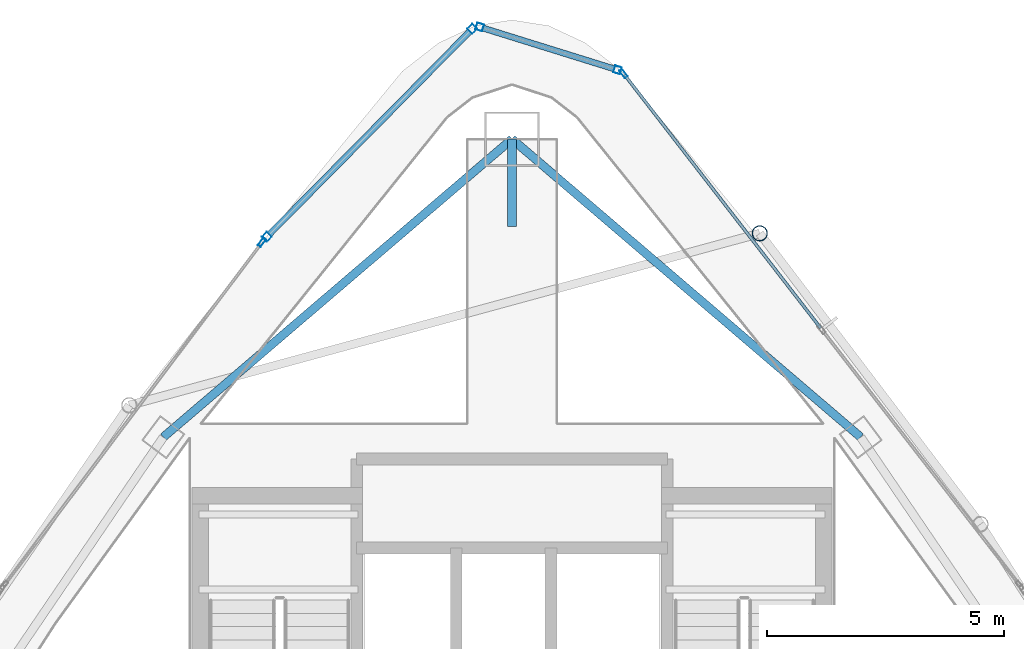
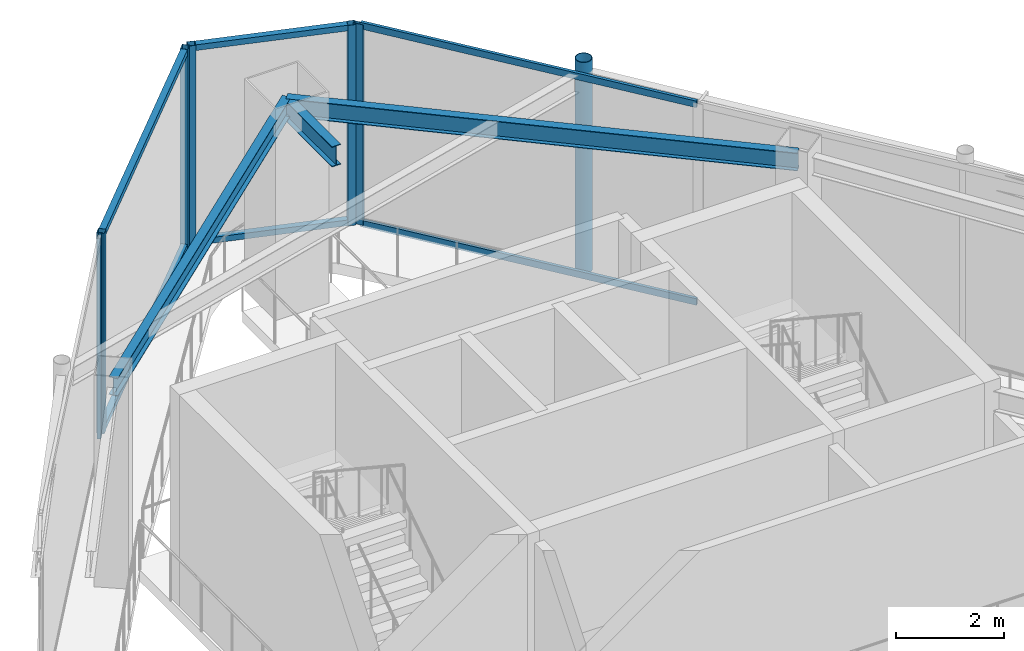
# One storey, part 14 of 19: 13 members, 3 beams, 4 elements without a shape of their own.
"""IFC4 building model written with IfcOpenShell, lengths in metres."""

from ifc_helpers import new_model, si_unit, direction, frame, origin, origin_2d, place, context, subcontext, project, spatial, hollow_rectangle, hollow_circle, i_section, extrude, material, layer, layer_set, material_profile, profile_set, type_object, element, aggregate, save


model = new_model("IFC4")

# Units and contexts
model_context = context("Model", 3, precision=1e-05, world=origin(), true_north=direction((0.0, 1.0)))
body_context = subcontext(model_context, "Body", "Model", "MODEL_VIEW")
ifc_project = project(units=[si_unit("LENGTHUNIT", "METRE"), si_unit("AREAUNIT", "SQUARE_METRE"), si_unit("VOLUMEUNIT", "CUBIC_METRE"), si_unit("PLANEANGLEUNIT", "RADIAN"), si_unit("MASSUNIT", "GRAM", prefix="KILO")], contexts=[model_context])

# Site, building, storey
site_placement = place(None, origin())
site = spatial("IfcSite", under=ifc_project, at=site_placement, CompositionType="ELEMENT")
building_placement = place(site_placement, origin())
building = spatial("IfcBuilding", under=site, at=building_placement, Name="Orvanel Arch Residences", CompositionType="ELEMENT")
storey_placement = place(building_placement, frame((0.0, 0.0, 286.10009765625)))
storey = spatial("IfcBuildingStorey", under=building, at=storey_placement, Name="L81", CompositionType="ELEMENT", Elevation=286.10009765625)

# Beam
ifc_material_1 = material(Name="Structural steel AS/NZS 3679.1 Grade 300 (300 MPa)", Category="steel")
ifc_material_profile_1 = material_profile(ifc_material_1, i_section(OverallWidth=0.19091796875, OverallDepth=0.4599609375, WebThickness=0.010009765625, FlangeThickness=0.01611328125, at=origin_2d()), Name="460UB82.1")
ifc_profile_set_1 = profile_set([ifc_material_profile_1], Name="Structural steel AS/NZS 3679.1 Grade 300 (300 MPa)")
beam_type_1 = type_object("IfcBeamType", Name="BG-460UB", PredefinedType="BEAM", material=ifc_profile_set_1)
beam_placement = place(storey_placement, frame((33.0, 39.550048828125, 4.31982421875), z_axis=(0.0, 1.0, 0.0), x_axis=(-1.0, 0.0, 0.0)))
element("IfcBeam", 1, at=beam_placement, inside=storey, type_object=beam_type_1, Name="L81 North Radial Girder", PredefinedType="BEAM", context=body_context, shape_type="SweptSolid", body=[
    extrude(i_section(OverallWidth=0.19091796875, OverallDepth=0.4599609375, WebThickness=0.010009765625, FlangeThickness=0.01611328125, at=origin_2d()), origin(), (0.0, 0.0, 1.0), 1.847900390625),
])

# Curtain wall, members
ifc_material_2 = material(Name="Bronze-anodised aluminium AA6063-T6", Category="aluminium")
ifc_layer = layer(ifc_material_2, 0.2099609375)
ifc_layer_set = layer_set([ifc_layer], Name="Bronze-anodised aluminium AA6063-T6")
curtain_wall_type = type_object("IfcCurtainWallType", Name="CW7-TOP-SYS", PredefinedType="NOTDEFINED", material=ifc_layer_set)
curtain_wall_1_placement = place(storey_placement, origin())
curtain_wall_1 = element("IfcCurtainWall", 2, at=curtain_wall_1_placement, inside=storey, type_object=curtain_wall_type, Name="L81 CW7-TOP-SYS Unitised Curtain Wall", PredefinedType="NOTDEFINED")
ifc_material_profile_2 = material_profile(ifc_material_2, hollow_rectangle(XDim=0.14990234375, YDim=0.14990234375, WallThickness=0.0048828125, at=origin_2d()), Name="ALU150x150x5")
ifc_profile_set_2 = profile_set([ifc_material_profile_2], Name="Bronze-anodised aluminium AA6063-T6")
member_type_1 = type_object("IfcMemberType", Name="MUL-150x150", PredefinedType="MULLION", material=ifc_profile_set_2)
member_1_placement = place(storey_placement, frame((35.224365234375, 42.856201171875, 0.0), z_axis=(0.0, 0.0, 1.0), x_axis=(-0.297187104186, -0.954819263057, 0.0)))
member_1 = element("IfcMember", 3, at=member_1_placement, type_object=member_type_1, Name="CW-S7 mullion 1", PredefinedType="MULLION", context=body_context, shape_type="SweptSolid", body=[
    extrude(hollow_rectangle(XDim=0.14990234375, YDim=0.14990234375, WallThickness=0.0048828125, at=origin_2d()), origin(), (0.0, 0.0, 1.0), 4.5498046875),
])
member_2_placement = place(storey_placement, frame((32.318603515625, 43.7607421875, 0.0), z_axis=(0.0, 0.0, 1.0), x_axis=(-0.297187104186, -0.954819263057, 0.0)))
member_2 = element("IfcMember", 4, at=member_2_placement, type_object=member_type_1, Name="CW-S7 mullion 2", PredefinedType="MULLION", context=body_context, shape_type="SweptSolid", body=[
    extrude(hollow_rectangle(XDim=0.14990234375, YDim=0.14990234375, WallThickness=0.0048828125, at=origin_2d()), origin(), (0.0, 0.0, 1.0), 4.5498046875),
])

curtain_wall_2_placement = place(storey_placement, origin())
curtain_wall_2 = element("IfcCurtainWall", 5, at=curtain_wall_2_placement, inside=storey, type_object=curtain_wall_type, Name="L81 CW7-TOP-SYS Unitised Curtain Wall", PredefinedType="NOTDEFINED")
member_3_placement = place(storey_placement, frame((32.161376953125, 43.7216796875, 0.0), z_axis=(0.0, 0.0, 1.0), x_axis=(0.71152705503, -0.702658700907, 0.0)))
member_3 = element("IfcMember", 6, at=member_3_placement, type_object=member_type_1, Name="CW-S7 mullion 1", PredefinedType="MULLION", context=body_context, shape_type="SweptSolid", body=[
    extrude(hollow_rectangle(XDim=0.14990234375, YDim=0.14990234375, WallThickness=0.0048828125, at=origin_2d()), origin(), (0.0, 0.0, 1.0), 4.5498046875),
])
member_4_placement = place(storey_placement, frame((27.82958984375, 39.33544921875, 0.0), z_axis=(0.0, 0.0, 1.0), x_axis=(0.71152705503, -0.702658700907, 0.0)))
member_4 = element("IfcMember", 7, at=member_4_placement, type_object=member_type_1, Name="CW-S7 mullion 2", PredefinedType="MULLION", context=body_context, shape_type="SweptSolid", body=[
    extrude(hollow_rectangle(XDim=0.14990234375, YDim=0.14990234375, WallThickness=0.0048828125, at=origin_2d()), origin(), (0.0, 0.0, 1.0), 4.5498046875),
])

# Curtain wall, member
curtain_wall_3_placement = place(storey_placement, origin())
curtain_wall_3 = element("IfcCurtainWall", 8, at=curtain_wall_3_placement, inside=storey, type_object=curtain_wall_type, Name="L81 CW7-TOP-SYS Unitised Curtain Wall", PredefinedType="NOTDEFINED")
ifc_material_profile_3 = material_profile(ifc_material_2, hollow_rectangle(XDim=0.074951171875, YDim=0.199951171875, WallThickness=0.0048828125, at=origin_2d()), Name="ALU200x75x5")
ifc_profile_set_3 = profile_set([ifc_material_profile_3], Name="Bronze-anodised aluminium AA6063-T6")
member_type_2 = type_object("IfcMemberType", Name="MUL-200x75", PredefinedType="MULLION", material=ifc_profile_set_3)
member_5_placement = place(storey_placement, frame((27.728515625, 39.221923828125, 0.0), z_axis=(0.0, 0.0, 1.0), x_axis=(0.799341985759, -0.600876351509, 0.0)))
member_5 = element("IfcMember", 9, at=member_5_placement, type_object=member_type_2, Name="CW-S7 mullion 1", PredefinedType="MULLION", context=body_context, shape_type="SweptSolid", body=[
    extrude(hollow_rectangle(XDim=0.074951171875, YDim=0.199951171875, WallThickness=0.0048828125, at=origin_2d()), origin(), (0.0, 0.0, 1.0), 4.5498046875),
])
aggregate(curtain_wall_3, [member_5])

curtain_wall_4_placement = place(storey_placement, origin())
curtain_wall_4 = element("IfcCurtainWall", 10, at=curtain_wall_4_placement, inside=storey, type_object=curtain_wall_type, Name="L81 CW7-TOP-SYS Unitised Curtain Wall", PredefinedType="NOTDEFINED")
member_6_placement = place(storey_placement, frame((35.349853515625, 42.782470703125, 0.0), z_axis=(0.0, 0.0, 1.0), x_axis=(-0.790656592833, -0.612259873102, 0.0)))
member_6 = element("IfcMember", 11, at=member_6_placement, type_object=member_type_2, Name="CW-S7 mullion 3", PredefinedType="MULLION", context=body_context, shape_type="SweptSolid", body=[
    extrude(hollow_rectangle(XDim=0.074951171875, YDim=0.199951171875, WallThickness=0.0048828125, at=origin_2d()), origin(), (0.0, 0.0, 1.0), 4.5498046875),
])

# Beams
ifc_material_profile_4 = material_profile(ifc_material_1, i_section(OverallWidth=0.177978515625, OverallDepth=0.406005859375, WebThickness=0.0078125, FlangeThickness=0.0126953125, at=origin_2d()), Name="410UB59.7")
ifc_profile_set_4 = profile_set([ifc_material_profile_4], Name="Structural steel AS/NZS 3679.1 Grade 300 (300 MPa)")
beam_type_2 = type_object("IfcBeamType", Name="OB-410UB", PredefinedType="SPANDREL", material=ifc_profile_set_4)
for number, where, z_axis, x_axis, name in (
    (12, (40.35205078125, 35.113037109375, 4.346923828125), (-0.760116518398, 0.649786794617, 0.0), (-0.649786794617, -0.760116518398, 0.0), "L81 Perimeter Spandrel Beam 09"),
    (13, (33.0, 41.39794921875, 4.346923828125), (-0.760116518398, -0.649786794617, 0.0), (0.649786794617, -0.760116518398, 0.0), "L81 Perimeter Spandrel Beam 10"),
):
    element("IfcBeam", number, at=place(storey_placement, frame(where, z_axis=z_axis, x_axis=x_axis)), inside=storey, type_object=beam_type_2, Name=name, PredefinedType="SPANDREL", context=body_context, shape_type="SweptSolid", body=[
        extrude(i_section(OverallWidth=0.177978515625, OverallDepth=0.406005859375, WebThickness=0.0078125, FlangeThickness=0.0126953125, at=origin_2d()), origin(), (0.0, 0.0, 1.0), 9.67236328125),
    ])

# Member
ifc_material_3 = material(Name="Structural steel AS/NZS 1163 C350L0 (Grade 350)", Category="steel")
ifc_material_profile_5 = material_profile(ifc_material_3, hollow_circle(Radius=0.162109375, WallThickness=0.0126953125, at=origin_2d()), Name="CHS324x12.7")
ifc_profile_set_5 = profile_set([ifc_material_profile_5], Name="Structural steel AS/NZS 1163 C350L0 (Grade 350)")
member_type_3 = type_object("IfcMemberType", Name="ST-324CHS-EXT", PredefinedType="STRUT", material=ifc_profile_set_5)
member_7_placement = place(storey_placement, frame((38.22412109375, 39.409912109375, 0.0), z_axis=(0.0, 0.0, 1.0), x_axis=(1.0, 0.0, 0.0)))
element("IfcMember", 14, at=member_7_placement, inside=storey, type_object=member_type_3, Name="L81 Outer Perimeter Frame Post 12", PredefinedType="STRUT", context=body_context, shape_type="SweptSolid", body=[
    extrude(hollow_circle(Radius=0.162109375, WallThickness=0.0126953125, at=origin_2d()), origin(), (0.0, 0.0, 1.0), 4.7998046875),
])

ifc_material_profile_6 = material_profile(ifc_material_2, hollow_rectangle(XDim=0.1298828125, YDim=0.1298828125, WallThickness=0.00439453125, at=origin_2d()), Name="ALU130x130x4.5")
ifc_profile_set_6 = profile_set([ifc_material_profile_6], Name="Bronze-anodised aluminium AA6063-T6")
member_type_4 = type_object("IfcMemberType", Name="TRN-130x130", PredefinedType="USERDEFINED", material=ifc_profile_set_6)
member_8_placement = place(storey_placement, frame((35.15283203125, 42.878662109375, 0.06494140625), z_axis=(-0.954821665977, 0.297179383843, 0.0), x_axis=(-0.297179383843, -0.954821665977, 0.0)))
member_8 = element("IfcMember", 15, at=member_8_placement, type_object=member_type_4, Name="CW-S7 transom 1.1", ObjectType="TRANSOM", PredefinedType="USERDEFINED", context=body_context, shape_type="SweptSolid", body=[
    extrude(hollow_rectangle(XDim=0.1298828125, YDim=0.1298828125, WallThickness=0.00439453125, at=origin_2d()), origin(), (0.0, 0.0, 1.0), 2.893310546875),
])

member_9_placement = place(storey_placement, frame((35.15283203125, 42.878662109375, 4.48486328125), z_axis=(-0.954821665977, 0.297179383843, 0.0), x_axis=(-0.297179383843, -0.954821665977, 0.0)))
member_9 = element("IfcMember", 16, at=member_9_placement, type_object=member_type_4, Name="CW-S7 transom 1.2", ObjectType="TRANSOM", PredefinedType="USERDEFINED", context=body_context, shape_type="SweptSolid", body=[
    extrude(hollow_rectangle(XDim=0.1298828125, YDim=0.1298828125, WallThickness=0.00439453125, at=origin_2d()), origin(), (0.0, 0.0, 1.0), 2.893310546875),
])

aggregate(curtain_wall_1, [member_1, member_2, member_8, member_9])

member_10_placement = place(storey_placement, frame((32.108642578125, 43.668212890625, 0.06494140625), z_axis=(-0.702668534455, -0.711517343912, 0.0), x_axis=(0.711517343912, -0.702668534455, 0.0)))
member_10 = element("IfcMember", 17, at=member_10_placement, type_object=member_type_4, Name="CW-S7 transom 1.1", ObjectType="TRANSOM", PredefinedType="USERDEFINED", context=body_context, shape_type="SweptSolid", body=[
    extrude(hollow_rectangle(XDim=0.1298828125, YDim=0.1298828125, WallThickness=0.00439453125, at=origin_2d()), origin(), (0.0, 0.0, 1.0), 6.0146484375),
])

member_11_placement = place(storey_placement, frame((32.108642578125, 43.668212890625, 4.48486328125), z_axis=(-0.702668534455, -0.711517343912, 0.0), x_axis=(0.711517343912, -0.702668534455, 0.0)))
member_11 = element("IfcMember", 18, at=member_11_placement, type_object=member_type_4, Name="CW-S7 transom 1.2", ObjectType="TRANSOM", PredefinedType="USERDEFINED", context=body_context, shape_type="SweptSolid", body=[
    extrude(hollow_rectangle(XDim=0.1298828125, YDim=0.1298828125, WallThickness=0.00439453125, at=origin_2d()), origin(), (0.0, 0.0, 1.0), 6.0146484375),
])

aggregate(curtain_wall_2, [member_3, member_4, member_10, member_11])

ifc_material_profile_7 = material_profile(ifc_material_2, hollow_rectangle(XDim=0.06494140625, YDim=0.14990234375, WallThickness=0.00390625, at=origin_2d()), Name="ALU150x65x4")
ifc_profile_set_7 = profile_set([ifc_material_profile_7], Name="Bronze-anodised aluminium AA6063-T6")
member_type_5 = type_object("IfcMemberType", Name="TRN-150x65", PredefinedType="USERDEFINED", material=ifc_profile_set_7)
member_12_placement = place(storey_placement, frame((39.506591796875, 37.41455078125, 0.032470703125), z_axis=(-0.61226945959, 0.790649169261, 0.0), x_axis=(-0.790649169261, -0.61226945959, 0.0)))
member_12 = element("IfcMember", 19, at=member_12_placement, type_object=member_type_5, Name="CW-S7 transom 2.1", ObjectType="TRANSOM", PredefinedType="USERDEFINED", context=body_context, shape_type="SweptSolid", body=[
    extrude(hollow_rectangle(XDim=0.06494140625, YDim=0.14990234375, WallThickness=0.00390625, at=origin_2d()), origin(), (0.0, 0.0, 1.0), 6.75146484375),
])

member_13_placement = place(storey_placement, frame((39.506591796875, 37.41455078125, 4.517333984375), z_axis=(-0.61226945959, 0.790649169261, 0.0), x_axis=(-0.790649169261, -0.61226945959, 0.0)))
member_13 = element("IfcMember", 20, at=member_13_placement, type_object=member_type_5, Name="CW-S7 transom 2.2", ObjectType="TRANSOM", PredefinedType="USERDEFINED", context=body_context, shape_type="SweptSolid", body=[
    extrude(hollow_rectangle(XDim=0.06494140625, YDim=0.14990234375, WallThickness=0.00390625, at=origin_2d()), origin(), (0.0, 0.0, 1.0), 6.75146484375),
])

aggregate(curtain_wall_4, [member_6, member_12, member_13])

save(model, "model.ifc")
